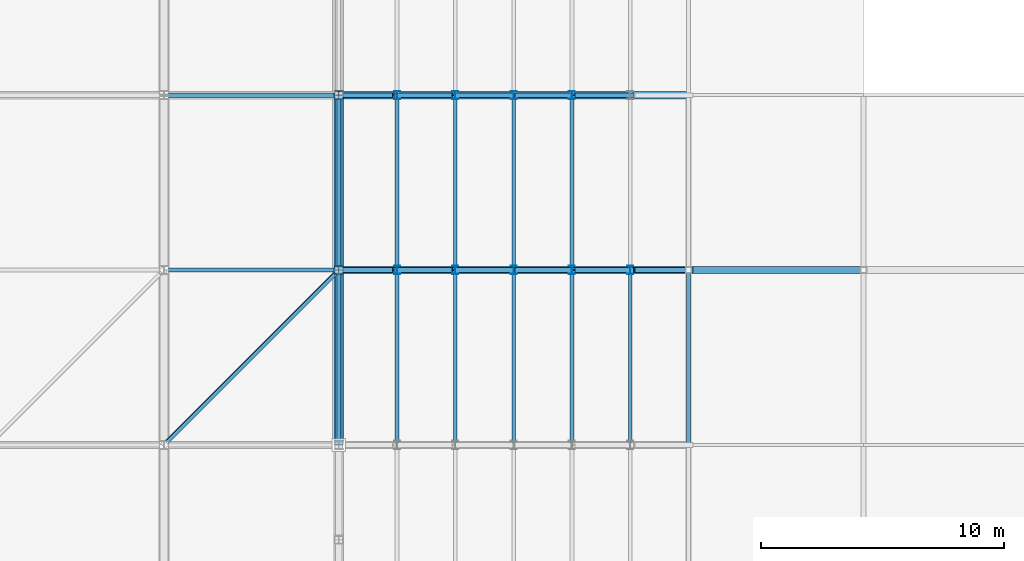
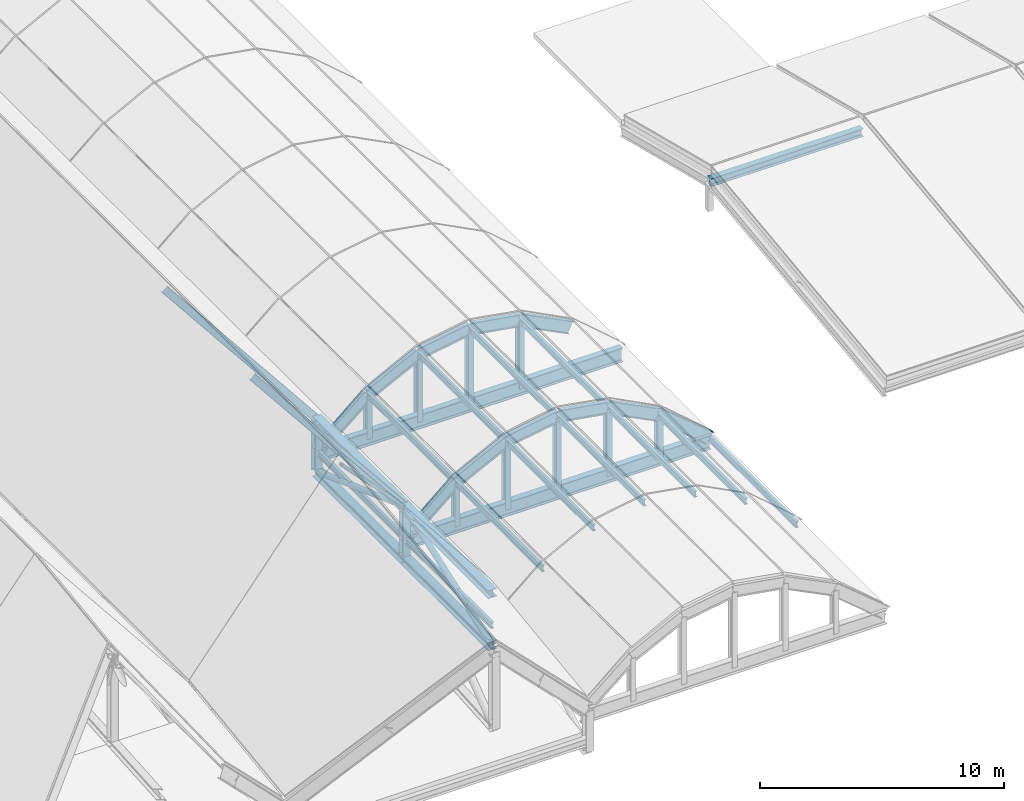
# One storey, part 16 of 60: 43 members, 3 beams.
"""IFC4 building model written with IfcOpenShell, lengths in metres."""

from ifc_helpers import new_model, si_unit, direction, frame, origin, origin_2d, place, context, subcontext, project, spatial, hollow_circle, i_section, extrude, material, material_profile, profile_set, type_object, element, save


model = new_model("IFC4")

# Units and contexts
model_context = context("Model", 3, precision=1e-05, world=origin(), true_north=direction((0.0, 1.0)))
body_context = subcontext(model_context, "Body", "Model", "MODEL_VIEW")
ifc_project = project(units=[si_unit("LENGTHUNIT", "METRE"), si_unit("AREAUNIT", "SQUARE_METRE"), si_unit("VOLUMEUNIT", "CUBIC_METRE"), si_unit("PLANEANGLEUNIT", "RADIAN"), si_unit("MASSUNIT", "GRAM", prefix="KILO")], contexts=[model_context])

# Site, building, storey
site_placement = place(None, origin())
site = spatial("IfcSite", under=ifc_project, at=site_placement, CompositionType="ELEMENT")
building_placement = place(site_placement, origin())
building = spatial("IfcBuilding", under=site, at=building_placement, Name="Vesperath Aquatics Centre", CompositionType="ELEMENT")
storey_placement = place(building_placement, frame((0.0, 0.0, 27.60009765625)))
storey = spatial("IfcBuildingStorey", under=building, at=storey_placement, Name="RF", CompositionType="ELEMENT", Elevation=27.60009765625)

# Beams
ifc_material_1 = material(Name="Steel Q355D", Category="steel")
ifc_material_profile_1 = material_profile(ifc_material_1, i_section(OverallWidth=0.300048828125, OverallDepth=0.699951171875, WebThickness=0.012939453125, FlangeThickness=0.02392578125, FilletRadius=0.028076171875, at=origin_2d()), Name="HN 700x300x13x24")
ifc_profile_set_1 = profile_set([ifc_material_profile_1], Name="Steel Q355D")
beam_type_1 = type_object("IfcBeamType", Name="BM-RB10", PredefinedType="BEAM", material=ifc_profile_set_1)
for number, where, z_axis, x_axis, name in (
    (1, (100.800048828125, 21.60009765625, -11.550048828125), (1.0, 0.0, 0.0), (0.0, 1.0, 0.0), "Conservatory Arch Tie Beam B08 D"),
    (2, (100.800048828125, 28.800048828125, -11.550048828125), (1.0, 0.0, 0.0), (0.0, 1.0, 0.0), "Conservatory Arch Tie Beam B08 E"),
):
    element("IfcBeam", number, at=place(storey_placement, frame(where, z_axis=z_axis, x_axis=x_axis)), inside=storey, type_object=beam_type_1, Name=name, PredefinedType="BEAM", context=body_context, shape_type="SweptSolid", body=[
        extrude(i_section(OverallWidth=0.300048828125, OverallDepth=0.699951171875, WebThickness=0.012939453125, FlangeThickness=0.02392578125, FilletRadius=0.028076171875, at=origin_2d()), origin(), (0.0, 0.0, 1.0), 14.39990234375),
    ])
ifc_material_profile_2 = material_profile(ifc_material_1, i_section(OverallWidth=0.300048828125, OverallDepth=0.389892578125, WebThickness=0.010009765625, FlangeThickness=0.01611328125, FilletRadius=0.02197265625, at=origin_2d()), Name="HM 390x300x10x16")
ifc_profile_set_2 = profile_set([ifc_material_profile_2], Name="Steel Q355D")
beam_type_2 = type_object("IfcBeamType", Name="BM-RB11", PredefinedType="BEAM", material=ifc_profile_set_2)
beam_placement = place(storey_placement, frame((115.199951171875, 21.60009765625, 1.39990234375), z_axis=(1.0, 0.0, 0.0), x_axis=(0.0, 1.0, 0.0)))
element("IfcBeam", 3, at=beam_placement, inside=storey, type_object=beam_type_2, Name="Boulevard Attic Ridge Girder RB11 17-18", PredefinedType="BEAM", context=body_context, shape_type="SweptSolid", body=[
    extrude(i_section(OverallWidth=0.300048828125, OverallDepth=0.389892578125, WebThickness=0.010009765625, FlangeThickness=0.01611328125, FilletRadius=0.02197265625, at=origin_2d()), origin(), (0.0, 0.0, 1.0), 7.199951171875),
])

# Members
ifc_material_profile_3 = material_profile(ifc_material_1, i_section(OverallWidth=0.199951171875, OverallDepth=0.60009765625, WebThickness=0.010986328125, FlangeThickness=0.01708984375, FilletRadius=0.02197265625, at=origin_2d()), Name="HN 600x200x11x17")
ifc_profile_set_3 = profile_set([ifc_material_profile_3], Name="Steel Q355D")
member_type_1 = type_object("IfcMemberType", Name="MB-AR01", PredefinedType="RAFTER", material=ifc_profile_set_3)
member_1_placement = place(storey_placement, frame((100.800048828125, 21.60009765625, -11.400146484375), z_axis=(0.768208468069, 0.0, 0.640199773186), x_axis=(0.0, 1.0, 0.0)))
element("IfcMember", 4, at=member_1_placement, inside=storey, type_object=member_type_1, Name="Conservatory Vault Arch Rib AR01 D-1", PredefinedType="RAFTER", context=body_context, shape_type="SweptSolid", body=[
    extrude(i_section(OverallWidth=0.199951171875, OverallDepth=0.60009765625, WebThickness=0.010986328125, FlangeThickness=0.01708984375, FilletRadius=0.02197265625, at=origin_2d()), origin(), (0.0, 0.0, 1.0), 3.1240234375),
])
member_2_placement = place(storey_placement, frame((103.199951171875, 21.60009765625, -9.400146484375), z_axis=(0.894445386687, 0.0, 0.447177202275), x_axis=(0.0, 1.0, 0.0)))
element("IfcMember", 5, at=member_2_placement, inside=storey, type_object=member_type_1, Name="Conservatory Vault Arch Rib AR01 D-2", PredefinedType="RAFTER", context=body_context, shape_type="SweptSolid", body=[
    extrude(i_section(OverallWidth=0.199951171875, OverallDepth=0.60009765625, WebThickness=0.010986328125, FlangeThickness=0.01708984375, FilletRadius=0.02197265625, at=origin_2d()), origin(), (0.0, 0.0, 1.0), 2.683349609375),
])
for number, where, z_axis, x_axis, name in (
    (6, (105.60009765625, 21.60009765625, -8.2001953125), (0.986383073668, 0.0, 0.16446407505), (0.0, 1.0, 0.0), "Conservatory Vault Arch Rib AR01 D-3"),
    (7, (108.0, 21.60009765625, -7.800048828125), (0.986383073668, 0.0, -0.16446407505), (0.0, 1.0, 0.0), "Conservatory Vault Arch Rib AR01 D-4"),
):
    element("IfcMember", number, at=place(storey_placement, frame(where, z_axis=z_axis, x_axis=x_axis)), inside=storey, type_object=member_type_1, Name=name, PredefinedType="RAFTER", context=body_context, shape_type="SweptSolid", body=[
        extrude(i_section(OverallWidth=0.199951171875, OverallDepth=0.60009765625, WebThickness=0.010986328125, FlangeThickness=0.01708984375, FilletRadius=0.02197265625, at=origin_2d()), origin(), (0.0, 0.0, 1.0), 2.43310546875),
    ])
member_3_placement = place(storey_placement, frame((110.39990234375, 21.60009765625, -8.2001953125), z_axis=(0.894445386687, 0.0, -0.447177202275), x_axis=(0.0, 1.0, 0.0)))
element("IfcMember", 8, at=member_3_placement, inside=storey, type_object=member_type_1, Name="Conservatory Vault Arch Rib AR01 D-5", PredefinedType="RAFTER", context=body_context, shape_type="SweptSolid", body=[
    extrude(i_section(OverallWidth=0.199951171875, OverallDepth=0.60009765625, WebThickness=0.010986328125, FlangeThickness=0.01708984375, FilletRadius=0.02197265625, at=origin_2d()), origin(), (0.0, 0.0, 1.0), 2.683349609375),
])
for number, where, z_axis, x_axis, name in (
    (9, (112.800048828125, 21.60009765625, -9.400146484375), (0.768208468069, 0.0, -0.640199773186), (0.0, 1.0, 0.0), "Conservatory Vault Arch Rib AR01 D-6"),
    (10, (100.800048828125, 28.800048828125, -11.400146484375), (0.768208468069, 0.0, 0.640199773186), (0.0, 1.0, 0.0), "Conservatory Vault Arch Rib AR01 E-1"),
):
    element("IfcMember", number, at=place(storey_placement, frame(where, z_axis=z_axis, x_axis=x_axis)), inside=storey, type_object=member_type_1, Name=name, PredefinedType="RAFTER", context=body_context, shape_type="SweptSolid", body=[
        extrude(i_section(OverallWidth=0.199951171875, OverallDepth=0.60009765625, WebThickness=0.010986328125, FlangeThickness=0.01708984375, FilletRadius=0.02197265625, at=origin_2d()), origin(), (0.0, 0.0, 1.0), 3.1240234375),
    ])
member_4_placement = place(storey_placement, frame((103.199951171875, 28.800048828125, -9.400146484375), z_axis=(0.894445386687, 0.0, 0.447177202275), x_axis=(0.0, 1.0, 0.0)))
element("IfcMember", 11, at=member_4_placement, inside=storey, type_object=member_type_1, Name="Conservatory Vault Arch Rib AR01 E-2", PredefinedType="RAFTER", context=body_context, shape_type="SweptSolid", body=[
    extrude(i_section(OverallWidth=0.199951171875, OverallDepth=0.60009765625, WebThickness=0.010986328125, FlangeThickness=0.01708984375, FilletRadius=0.02197265625, at=origin_2d()), origin(), (0.0, 0.0, 1.0), 2.683349609375),
])
for number, where, z_axis, x_axis, name in (
    (12, (105.60009765625, 28.800048828125, -8.2001953125), (0.986383073668, 0.0, 0.16446407505), (0.0, 1.0, 0.0), "Conservatory Vault Arch Rib AR01 E-3"),
    (13, (108.0, 28.800048828125, -7.800048828125), (0.986383073668, 0.0, -0.16446407505), (0.0, 1.0, 0.0), "Conservatory Vault Arch Rib AR01 E-4"),
):
    element("IfcMember", number, at=place(storey_placement, frame(where, z_axis=z_axis, x_axis=x_axis)), inside=storey, type_object=member_type_1, Name=name, PredefinedType="RAFTER", context=body_context, shape_type="SweptSolid", body=[
        extrude(i_section(OverallWidth=0.199951171875, OverallDepth=0.60009765625, WebThickness=0.010986328125, FlangeThickness=0.01708984375, FilletRadius=0.02197265625, at=origin_2d()), origin(), (0.0, 0.0, 1.0), 2.43310546875),
    ])
member_5_placement = place(storey_placement, frame((110.39990234375, 28.800048828125, -8.2001953125), z_axis=(0.894445386687, 0.0, -0.447177202275), x_axis=(0.0, 1.0, 0.0)))
element("IfcMember", 14, at=member_5_placement, inside=storey, type_object=member_type_1, Name="Conservatory Vault Arch Rib AR01 E-5", PredefinedType="RAFTER", context=body_context, shape_type="SweptSolid", body=[
    extrude(i_section(OverallWidth=0.199951171875, OverallDepth=0.60009765625, WebThickness=0.010986328125, FlangeThickness=0.01708984375, FilletRadius=0.02197265625, at=origin_2d()), origin(), (0.0, 0.0, 1.0), 2.683349609375),
])
ifc_material_profile_4 = material_profile(ifc_material_1, i_section(OverallWidth=0.39990234375, OverallDepth=0.39990234375, WebThickness=0.012939453125, FlangeThickness=0.02099609375, FilletRadius=0.02197265625, at=origin_2d()), Name="HW 400x400x13x21")
ifc_profile_set_4 = profile_set([ifc_material_profile_4], Name="Steel Q355D")
member_type_2 = type_object("IfcMemberType", Name="MB-BC01", PredefinedType="CHORD", material=ifc_profile_set_4)
member_6_placement = place(storey_placement, frame((100.800048828125, 14.39990234375, -12.400146484375), z_axis=(0.0, 1.0, 0.0), x_axis=(-1.0, 0.0, 0.0)))
element("IfcMember", 15, at=member_6_placement, inside=storey, type_object=member_type_2, Name="Natatorium ROOF TRUSS Bottom Chord BC01 G15-3", PredefinedType="CHORD", context=body_context, shape_type="SweptSolid", body=[
    extrude(i_section(OverallWidth=0.39990234375, OverallDepth=0.39990234375, WebThickness=0.012939453125, FlangeThickness=0.02099609375, FilletRadius=0.02197265625, at=origin_2d()), origin(), (0.0, 0.0, 1.0), 7.2001953125),
])
member_7_placement = place(storey_placement, frame((100.800048828125, 21.60009765625, -12.400146484375), z_axis=(0.0, 1.0, 0.0), x_axis=(-1.0, 0.0, 0.0)))
element("IfcMember", 16, at=member_7_placement, inside=storey, type_object=member_type_2, Name="Natatorium ROOF TRUSS Bottom Chord BC01 G15-4", PredefinedType="CHORD", context=body_context, shape_type="SweptSolid", body=[
    extrude(i_section(OverallWidth=0.39990234375, OverallDepth=0.39990234375, WebThickness=0.012939453125, FlangeThickness=0.02099609375, FilletRadius=0.02197265625, at=origin_2d()), origin(), (0.0, 0.0, 1.0), 7.199951171875),
])
ifc_material_profile_5 = material_profile(ifc_material_1, hollow_circle(Radius=0.084228515625, WallThickness=0.008056640625, at=origin_2d()), Name="CHS 168.3x8")
ifc_profile_set_5 = profile_set([ifc_material_profile_5], Name="Steel Q355D")
member_type_3 = type_object("IfcMemberType", Name="MB-BR01", PredefinedType="BRACE", material=ifc_profile_set_5)
member_8_placement = place(storey_placement, frame((93.642333984375, 14.4423828125, -0.85302734375), z_axis=(0.529812942826, 0.529812942826, -0.662266178533), x_axis=(-0.707106781187, 0.707106781187, 0.0)))
element("IfcMember", 17, at=member_8_placement, inside=storey, type_object=member_type_3, Name="Natatorium Roof Brace BR01 B14-14", PredefinedType="BRACE", context=body_context, shape_type="SweptSolid", body=[
    extrude(hollow_circle(Radius=0.084228515625, WallThickness=0.008056640625, at=origin_2d()), origin(), (0.0, 0.0, 1.0), 13.4296875),
])
ifc_material_2 = material(Name="Steel Q355C", Category="steel")
ifc_material_profile_6 = material_profile(ifc_material_2, i_section(OverallWidth=0.175048828125, OverallDepth=0.35009765625, WebThickness=0.007080078125, FlangeThickness=0.010986328125, FilletRadius=0.012939453125, at=origin_2d()), Name="HN 350x175x7x11")
ifc_profile_set_6 = profile_set([ifc_material_profile_6], Name="Steel Q355C")
member_type_4 = type_object("IfcMemberType", Name="MB-PR01", PredefinedType="PURLIN", material=ifc_profile_set_6)
for number, where, z_axis, x_axis, name in (
    (18, (93.60009765625, 21.60009765625, -0.800048828125), (0.624692464322, 0.0, -0.780870876022), (0.0, 1.0, 0.0), "Natatorium Roof Purlin PR01 B14-2"),
    (19, (93.60009765625, 28.800048828125, -0.800048828125), (0.624692464322, 0.0, -0.780870876022), (0.0, 1.0, 0.0), "Natatorium Roof Purlin PR01 B14-3"),
):
    element("IfcMember", number, at=place(storey_placement, frame(where, z_axis=z_axis, x_axis=x_axis)), inside=storey, type_object=member_type_4, Name=name, PredefinedType="PURLIN", context=body_context, shape_type="SweptSolid", body=[
        extrude(i_section(OverallWidth=0.175048828125, OverallDepth=0.35009765625, WebThickness=0.007080078125, FlangeThickness=0.010986328125, FilletRadius=0.012939453125, at=origin_2d()), origin(), (0.0, 0.0, 1.0), 11.525634765625),
    ])
ifc_material_profile_7 = material_profile(ifc_material_2, i_section(OverallWidth=0.14990234375, OverallDepth=0.300048828125, WebThickness=0.006591796875, FlangeThickness=0.009033203125, FilletRadius=0.012939453125, at=origin_2d()), Name="HN 300x150x6.5x9")
ifc_profile_set_7 = profile_set([ifc_material_profile_7], Name="Steel Q355C")
member_type_5 = type_object("IfcMemberType", Name="MB-PR02", PredefinedType="PURLIN", material=ifc_profile_set_7)
for number, where, z_axis, x_axis, name in (
    (20, (100.800048828125, 14.39990234375, -11.400146484375), (0.0, 1.0, 0.0), (-1.0, 0.0, 0.0), "Conservatory Vault Purlin PR02 C-1"),
    (21, (103.199951171875, 14.39990234375, -9.400146484375), (0.0, 1.0, 0.0), (-1.0, 0.0, 0.0), "Conservatory Vault Purlin PR02 C-2"),
    (22, (105.60009765625, 14.39990234375, -8.2001953125), (0.0, 1.0, 0.0), (-1.0, 0.0, 0.0), "Conservatory Vault Purlin PR02 C-3"),
    (23, (108.0, 14.39990234375, -7.800048828125), (0.0, 1.0, 0.0), (-1.0, 0.0, 0.0), "Conservatory Vault Purlin PR02 C-4"),
    (24, (110.39990234375, 14.39990234375, -8.2001953125), (0.0, 1.0, 0.0), (-1.0, 0.0, 0.0), "Conservatory Vault Purlin PR02 C-5"),
    (25, (112.800048828125, 14.39990234375, -9.400146484375), (0.0, 1.0, 0.0), (-1.0, 0.0, 0.0), "Conservatory Vault Purlin PR02 C-6"),
    (26, (115.199951171875, 14.39990234375, -11.400146484375), (0.0, 1.0, 0.0), (-1.0, 0.0, 0.0), "Conservatory Vault Purlin PR02 C-7"),
):
    element("IfcMember", number, at=place(storey_placement, frame(where, z_axis=z_axis, x_axis=x_axis)), inside=storey, type_object=member_type_5, Name=name, PredefinedType="PURLIN", context=body_context, shape_type="SweptSolid", body=[
        extrude(i_section(OverallWidth=0.14990234375, OverallDepth=0.300048828125, WebThickness=0.006591796875, FlangeThickness=0.009033203125, FilletRadius=0.012939453125, at=origin_2d()), origin(), (0.0, 0.0, 1.0), 7.2001953125),
    ])
for number, where, z_axis, x_axis, name in (
    (27, (100.800048828125, 21.60009765625, -11.400146484375), (0.0, 1.0, 0.0), (-1.0, 0.0, 0.0), "Conservatory Vault Purlin PR02 D-1"),
    (28, (103.199951171875, 21.60009765625, -9.400146484375), (0.0, 1.0, 0.0), (-1.0, 0.0, 0.0), "Conservatory Vault Purlin PR02 D-2"),
    (29, (105.60009765625, 21.60009765625, -8.2001953125), (0.0, 1.0, 0.0), (-1.0, 0.0, 0.0), "Conservatory Vault Purlin PR02 D-3"),
    (30, (108.0, 21.60009765625, -7.800048828125), (0.0, 1.0, 0.0), (-1.0, 0.0, 0.0), "Conservatory Vault Purlin PR02 D-4"),
    (31, (110.39990234375, 21.60009765625, -8.2001953125), (0.0, 1.0, 0.0), (-1.0, 0.0, 0.0), "Conservatory Vault Purlin PR02 D-5"),
):
    element("IfcMember", number, at=place(storey_placement, frame(where, z_axis=z_axis, x_axis=x_axis)), inside=storey, type_object=member_type_5, Name=name, PredefinedType="PURLIN", context=body_context, shape_type="SweptSolid", body=[
        extrude(i_section(OverallWidth=0.14990234375, OverallDepth=0.300048828125, WebThickness=0.006591796875, FlangeThickness=0.009033203125, FilletRadius=0.012939453125, at=origin_2d()), origin(), (0.0, 0.0, 1.0), 7.199951171875),
    ])
ifc_material_profile_8 = material_profile(ifc_material_1, i_section(OverallWidth=0.39990234375, OverallDepth=0.39990234375, WebThickness=0.012939453125, FlangeThickness=0.02099609375, FilletRadius=0.02197265625, at=origin_2d()), Name="HW 400x400x13x21")
ifc_profile_set_8 = profile_set([ifc_material_profile_8], Name="Steel Q355D")
member_type_6 = type_object("IfcMemberType", Name="MB-TC02", PredefinedType="CHORD", material=ifc_profile_set_8)
member_9_placement = place(storey_placement, frame((100.800048828125, 14.39990234375, -9.800048828125), z_axis=(0.0, 1.0, 0.0), x_axis=(-1.0, 0.0, 0.0)))
element("IfcMember", 32, at=member_9_placement, inside=storey, type_object=member_type_6, Name="Natatorium ROOF TRUSS Top Chord TC02 G15-3", PredefinedType="CHORD", context=body_context, shape_type="SweptSolid", body=[
    extrude(i_section(OverallWidth=0.39990234375, OverallDepth=0.39990234375, WebThickness=0.012939453125, FlangeThickness=0.02099609375, FilletRadius=0.02197265625, at=origin_2d()), origin(), (0.0, 0.0, 1.0), 7.2001953125),
])
member_10_placement = place(storey_placement, frame((100.800048828125, 21.60009765625, -9.800048828125), z_axis=(0.0, 1.0, 0.0), x_axis=(-1.0, 0.0, 0.0)))
element("IfcMember", 33, at=member_10_placement, inside=storey, type_object=member_type_6, Name="Natatorium ROOF TRUSS Top Chord TC02 G15-4", PredefinedType="CHORD", context=body_context, shape_type="SweptSolid", body=[
    extrude(i_section(OverallWidth=0.39990234375, OverallDepth=0.39990234375, WebThickness=0.012939453125, FlangeThickness=0.02099609375, FilletRadius=0.02197265625, at=origin_2d()), origin(), (0.0, 0.0, 1.0), 7.199951171875),
])
ifc_material_profile_9 = material_profile(ifc_material_1, hollow_circle(Radius=0.136474609375, WallThickness=0.011962890625, at=origin_2d()), Name="CHS 273.0x12")
ifc_profile_set_9 = profile_set([ifc_material_profile_9], Name="Steel Q355D")
member_type_7 = type_object("IfcMemberType", Name="MB-TD02", PredefinedType="BRACE", material=ifc_profile_set_9)
member_11_placement = place(storey_placement, frame((100.800048828125, 14.475341796875, -12.373046875), z_axis=(0.0, 0.940540602568, 0.339681284324), x_axis=(-1.0, 0.0, 0.0)))
element("IfcMember", 34, at=member_11_placement, inside=storey, type_object=member_type_7, Name="Natatorium ROOF TRUSS Diagonal TD02 G15-3", PredefinedType="BRACE", context=body_context, shape_type="SweptSolid", body=[
    extrude(hollow_circle(Radius=0.136474609375, WallThickness=0.011962890625, at=origin_2d()), origin(), (0.0, 0.0, 1.0), 7.494873046875),
])
member_12_placement = place(storey_placement, frame((100.800048828125, 21.67529296875, -9.8271484375), z_axis=(0.0, 0.940544360889, -0.339670877761), x_axis=(-1.0, 0.0, 0.0)))
element("IfcMember", 35, at=member_12_placement, inside=storey, type_object=member_type_7, Name="Natatorium ROOF TRUSS Diagonal TD02 G15-4", PredefinedType="BRACE", context=body_context, shape_type="SweptSolid", body=[
    extrude(hollow_circle(Radius=0.136474609375, WallThickness=0.011962890625, at=origin_2d()), origin(), (0.0, 0.0, 1.0), 7.4951171875),
])
ifc_material_profile_10 = material_profile(ifc_material_1, i_section(OverallWidth=0.35009765625, OverallDepth=0.35009765625, WebThickness=0.011962890625, FlangeThickness=0.01904296875, FilletRadius=0.02001953125, at=origin_2d()), Name="HW 350x350x12x19")
ifc_profile_set_10 = profile_set([ifc_material_profile_10], Name="Steel Q355D")
member_type_8 = type_object("IfcMemberType", Name="MB-TP01", PredefinedType="POST", material=ifc_profile_set_10)
for number, where, z_axis, x_axis, name in (
    (36, (100.800048828125, 21.60009765625, -12.400146484375), (0.0, 0.0, 1.0), (1.0, 0.0, 0.0), "Natatorium ROOF TRUSS Post TP01 G15-4"),
    (37, (100.800048828125, 28.800048828125, -12.400146484375), (0.0, 0.0, 1.0), (1.0, 0.0, 0.0), "Natatorium ROOF TRUSS Post TP01 G15-5"),
):
    element("IfcMember", number, at=place(storey_placement, frame(where, z_axis=z_axis, x_axis=x_axis)), inside=storey, type_object=member_type_8, Name=name, PredefinedType="POST", context=body_context, shape_type="SweptSolid", body=[
        extrude(i_section(OverallWidth=0.35009765625, OverallDepth=0.35009765625, WebThickness=0.011962890625, FlangeThickness=0.01904296875, FilletRadius=0.02001953125, at=origin_2d()), origin(), (0.0, 0.0, 1.0), 2.60009765625),
    ])
ifc_material_profile_11 = material_profile(ifc_material_1, i_section(OverallWidth=0.25, OverallDepth=0.340087890625, WebThickness=0.009033203125, FlangeThickness=0.013916015625, FilletRadius=0.02001953125, at=origin_2d()), Name="HM 340x250x9x14")
ifc_profile_set_11 = profile_set([ifc_material_profile_11], Name="Steel Q355D")
member_type_9 = type_object("IfcMemberType", Name="MB-TP02", PredefinedType="POST", material=ifc_profile_set_11)
member_13_placement = place(storey_placement, frame((103.199951171875, 21.60009765625, -11.550048828125), z_axis=(0.0, 0.0, 1.0), x_axis=(1.0, 0.0, 0.0)))
element("IfcMember", 38, at=member_13_placement, inside=storey, type_object=member_type_9, Name="Conservatory Vault Post TP02 D-1", PredefinedType="POST", context=body_context, shape_type="SweptSolid", body=[
    extrude(i_section(OverallWidth=0.25, OverallDepth=0.340087890625, WebThickness=0.009033203125, FlangeThickness=0.013916015625, FilletRadius=0.02001953125, at=origin_2d()), origin(), (0.0, 0.0, 1.0), 2.14990234375),
])
member_14_placement = place(storey_placement, frame((105.60009765625, 21.60009765625, -11.550048828125), z_axis=(0.0, 0.0, 1.0), x_axis=(1.0, 0.0, 0.0)))
element("IfcMember", 39, at=member_14_placement, inside=storey, type_object=member_type_9, Name="Conservatory Vault Post TP02 D-2", PredefinedType="POST", context=body_context, shape_type="SweptSolid", body=[
    extrude(i_section(OverallWidth=0.25, OverallDepth=0.340087890625, WebThickness=0.009033203125, FlangeThickness=0.013916015625, FilletRadius=0.02001953125, at=origin_2d()), origin(), (0.0, 0.0, 1.0), 3.349853515625),
])
member_15_placement = place(storey_placement, frame((108.0, 21.60009765625, -11.550048828125), z_axis=(0.0, 0.0, 1.0), x_axis=(1.0, 0.0, 0.0)))
element("IfcMember", 40, at=member_15_placement, inside=storey, type_object=member_type_9, Name="Conservatory Vault Post TP02 D-3", PredefinedType="POST", context=body_context, shape_type="SweptSolid", body=[
    extrude(i_section(OverallWidth=0.25, OverallDepth=0.340087890625, WebThickness=0.009033203125, FlangeThickness=0.013916015625, FilletRadius=0.02001953125, at=origin_2d()), origin(), (0.0, 0.0, 1.0), 3.75),
])
member_16_placement = place(storey_placement, frame((110.39990234375, 21.60009765625, -11.550048828125), z_axis=(0.0, 0.0, 1.0), x_axis=(1.0, 0.0, 0.0)))
element("IfcMember", 41, at=member_16_placement, inside=storey, type_object=member_type_9, Name="Conservatory Vault Post TP02 D-4", PredefinedType="POST", context=body_context, shape_type="SweptSolid", body=[
    extrude(i_section(OverallWidth=0.25, OverallDepth=0.340087890625, WebThickness=0.009033203125, FlangeThickness=0.013916015625, FilletRadius=0.02001953125, at=origin_2d()), origin(), (0.0, 0.0, 1.0), 3.349853515625),
])
for number, where, z_axis, x_axis, name in (
    (42, (112.800048828125, 21.60009765625, -11.550048828125), (0.0, 0.0, 1.0), (1.0, 0.0, 0.0), "Conservatory Vault Post TP02 D-5"),
    (43, (103.199951171875, 28.800048828125, -11.550048828125), (0.0, 0.0, 1.0), (1.0, 0.0, 0.0), "Conservatory Vault Post TP02 E-1"),
):
    element("IfcMember", number, at=place(storey_placement, frame(where, z_axis=z_axis, x_axis=x_axis)), inside=storey, type_object=member_type_9, Name=name, PredefinedType="POST", context=body_context, shape_type="SweptSolid", body=[
        extrude(i_section(OverallWidth=0.25, OverallDepth=0.340087890625, WebThickness=0.009033203125, FlangeThickness=0.013916015625, FilletRadius=0.02001953125, at=origin_2d()), origin(), (0.0, 0.0, 1.0), 2.14990234375),
    ])
member_17_placement = place(storey_placement, frame((105.60009765625, 28.800048828125, -11.550048828125), z_axis=(0.0, 0.0, 1.0), x_axis=(1.0, 0.0, 0.0)))
element("IfcMember", 44, at=member_17_placement, inside=storey, type_object=member_type_9, Name="Conservatory Vault Post TP02 E-2", PredefinedType="POST", context=body_context, shape_type="SweptSolid", body=[
    extrude(i_section(OverallWidth=0.25, OverallDepth=0.340087890625, WebThickness=0.009033203125, FlangeThickness=0.013916015625, FilletRadius=0.02001953125, at=origin_2d()), origin(), (0.0, 0.0, 1.0), 3.349853515625),
])
member_18_placement = place(storey_placement, frame((108.0, 28.800048828125, -11.550048828125), z_axis=(0.0, 0.0, 1.0), x_axis=(1.0, 0.0, 0.0)))
element("IfcMember", 45, at=member_18_placement, inside=storey, type_object=member_type_9, Name="Conservatory Vault Post TP02 E-3", PredefinedType="POST", context=body_context, shape_type="SweptSolid", body=[
    extrude(i_section(OverallWidth=0.25, OverallDepth=0.340087890625, WebThickness=0.009033203125, FlangeThickness=0.013916015625, FilletRadius=0.02001953125, at=origin_2d()), origin(), (0.0, 0.0, 1.0), 3.75),
])
member_19_placement = place(storey_placement, frame((110.39990234375, 28.800048828125, -11.550048828125), z_axis=(0.0, 0.0, 1.0), x_axis=(1.0, 0.0, 0.0)))
element("IfcMember", 46, at=member_19_placement, inside=storey, type_object=member_type_9, Name="Conservatory Vault Post TP02 E-4", PredefinedType="POST", context=body_context, shape_type="SweptSolid", body=[
    extrude(i_section(OverallWidth=0.25, OverallDepth=0.340087890625, WebThickness=0.009033203125, FlangeThickness=0.013916015625, FilletRadius=0.02001953125, at=origin_2d()), origin(), (0.0, 0.0, 1.0), 3.349853515625),
])

save(model, "model.ifc")
